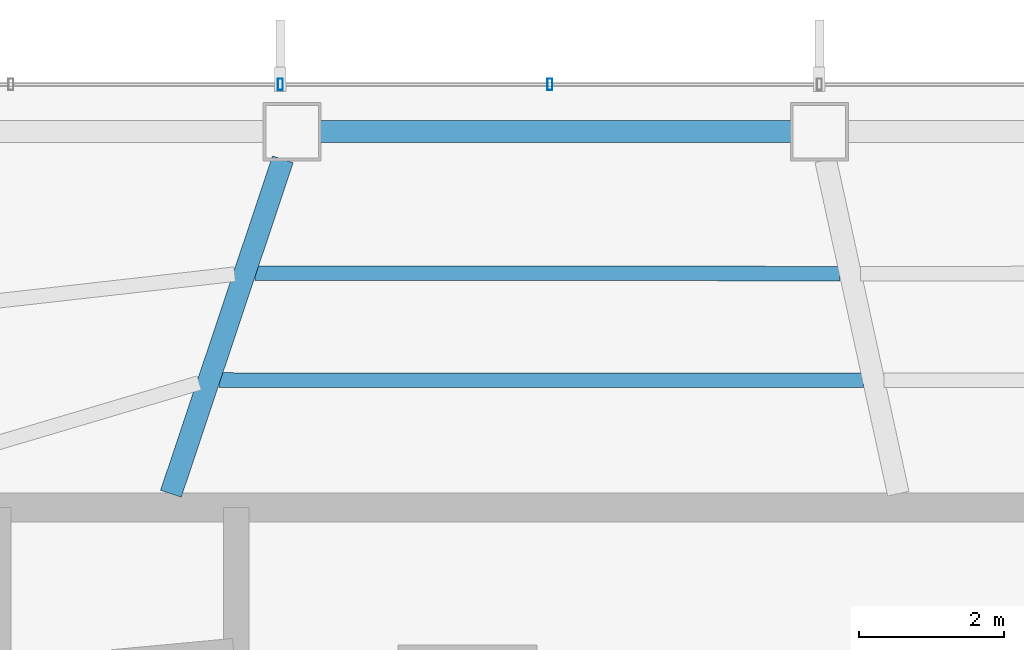
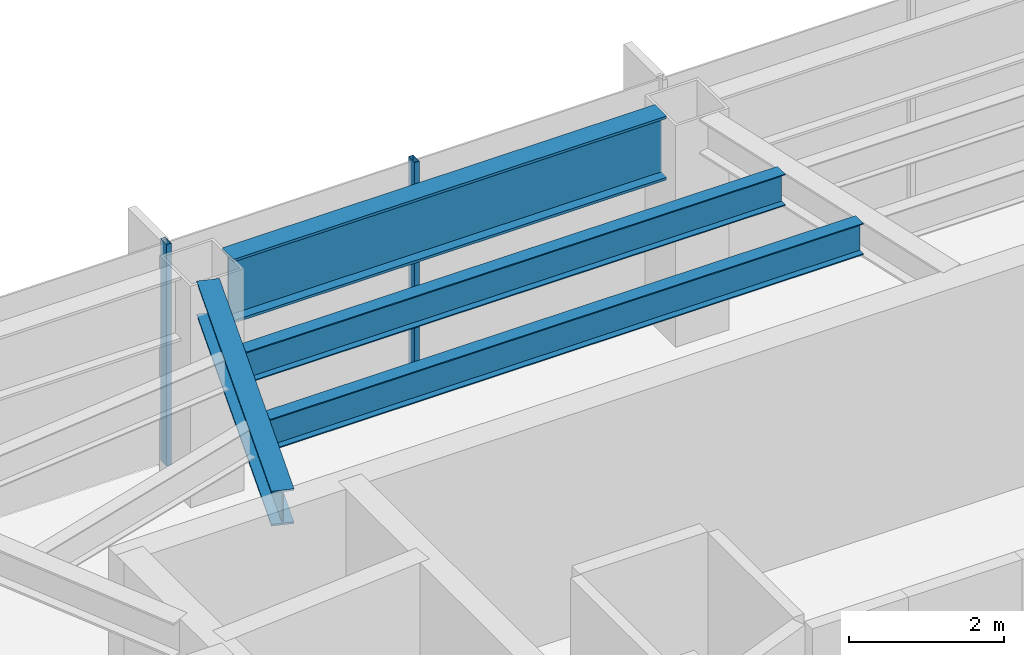
# One storey, part 12 of 28: 4 beams, 2 members, 1 element without a shape of its own.
"""IFC4 building model written with IfcOpenShell, lengths in metres."""

import ifcopenshell
import ifcopenshell.guid

model = None  # the IFC model being written
_history = None  # IfcOwnerHistory: only IFC2X3 demands one
_inside = {}  # id of a spatial element -> (the spatial element, [elements in it])
_under = {}  # id of a project, library or spatial element -> (it, [spatial elements below it])
_declared = {}  # id of a project -> (the project, [libraries it declares])
_typed = {}  # id of a type object -> (the type object, [elements of that type])
_made_of = {}  # id of a material, layer set ... -> (it, [elements and type objects made of it])


def new_model(schema):
    """Start an empty IFC model of exactly this schema.

    Asked for "IFC4X3", IfcOpenShell would pick the latest addendum, in which some entities
    have other attributes; the version numbers below select the first issue.
    IFC2X3 requires an IfcOwnerHistory on every rooted entity: one is made here for all.
    """
    global model, _history
    if schema == "IFC4X3":
        model = ifcopenshell.file(schema_version=(4, 3, 0, 0))
    else:
        model = ifcopenshell.file(schema=schema)
    _inside.clear()
    _under.clear()
    _declared.clear()
    _typed.clear()
    _made_of.clear()
    _history = None
    if model.schema == "IFC2X3":
        org = make("IfcOrganization", Name="unknown")
        user = make(
            "IfcPersonAndOrganization",
            ThePerson=make("IfcPerson", FamilyName="unknown"),
            TheOrganization=org,
        )
        app = make(
            "IfcApplication",
            ApplicationDeveloper=org,
            Version="unknown",
            ApplicationFullName="unknown",
            ApplicationIdentifier="unknown",
        )
        _history = make(
            "IfcOwnerHistory",
            OwningUser=user,
            OwningApplication=app,
            ChangeAction="ADDED",
            CreationDate=0,
        )
    return model


def make(cls, **values):
    """One entity of the class cls with the attributes given. An attribute that is None is left unset."""
    return model.create_entity(
        cls, **{name: value for name, value in values.items() if value is not None}
    )


def rooted(cls, **values):
    """An entity with a GlobalId (a new one), such as an element, a storey or a relation."""
    return make(cls, GlobalId=ifcopenshell.guid.new(), OwnerHistory=_history, **values)


def si_unit(unit_type, name, prefix=None):
    """IfcSIUnit, for example si_unit("LENGTHUNIT", "METRE", prefix="MILLI")."""
    return make("IfcSIUnit", UnitType=unit_type, Prefix=prefix, Name=name)


def assignment(units):
    """IfcUnitAssignment: the units of a project."""
    return None if units is None else make("IfcUnitAssignment", Units=units)


def point(xyz):
    """IfcCartesianPoint."""
    return None if xyz is None else make("IfcCartesianPoint", Coordinates=xyz)


def direction(xyz):
    """IfcDirection."""
    return None if xyz is None else make("IfcDirection", DirectionRatios=xyz)


def frame(location, z_axis=None, x_axis=None):
    """IfcAxis2Placement3D, a coordinate frame: its origin and axes. An axis left out is left unset."""
    return make(
        "IfcAxis2Placement3D",
        Location=point(location),
        Axis=direction(z_axis),
        RefDirection=direction(x_axis),
    )


def frame_2d(location, x_axis=None):
    """IfcAxis2Placement2D, a coordinate frame in the plane: its origin and x axis."""
    return make(
        "IfcAxis2Placement2D", Location=point(location), RefDirection=direction(x_axis)
    )


def origin():
    """The frame at (0, 0, 0) with its axes left unset."""
    return frame((0.0, 0.0, 0.0))


def origin_2d():
    """The frame at (0, 0) in the plane with its x axis left unset."""
    return frame_2d((0.0, 0.0))


def place(relative_to, where):
    """IfcLocalPlacement: puts the frame where relative to a parent placement (None: the world)."""
    return make(
        "IfcLocalPlacement", PlacementRelTo=relative_to, RelativePlacement=where
    )


def context(
    kind, dimensions, precision=None, world=None, true_north=None, identifier=None
):
    """IfcGeometricRepresentationContext, for example the 3D "Model" context."""
    return make(
        "IfcGeometricRepresentationContext",
        ContextIdentifier=identifier,
        ContextType=kind,
        CoordinateSpaceDimension=dimensions,
        Precision=precision,
        WorldCoordinateSystem=world,
        TrueNorth=true_north,
    )


def subcontext(parent, identifier, kind, view, scale=None):
    """IfcGeometricRepresentationSubContext, for example "Body" below "Model"."""
    return make(
        "IfcGeometricRepresentationSubContext",
        ContextIdentifier=identifier,
        ContextType=kind,
        ParentContext=parent,
        TargetScale=scale,
        TargetView=view,
    )


def project(units=None, contexts=None):
    """IfcProject with its units and contexts."""
    return rooted(
        "IfcProject",
        Name="project",
        RepresentationContexts=contexts,
        UnitsInContext=assignment(units),
    )


def spatial(cls, under=None, at=None, **own):
    """A site, building, storey or space (cls), placed at a placement, below another one or the project."""
    s = rooted(cls, ObjectPlacement=at, **own)
    if under is not None:
        _under.setdefault(under.id(), (under, []))[1].append(s)
    return s


def profile(cls, at=None, kind="AREA", **sizes):
    """A parametric profile (cls). Its sizes go by their IFC names, for example OverallWidth=200.0."""
    return make(cls, ProfileType=kind, Position=at, **sizes)


def hollow_rectangle(**sizes):
    """IfcRectangleHollowProfileDef."""
    return profile("IfcRectangleHollowProfileDef", **sizes)


def i_section(**sizes):
    """IfcIShapeProfileDef."""
    return profile("IfcIShapeProfileDef", **sizes)


def extrude(swept, where, along, depth):
    """IfcExtrudedAreaSolid: the profile swept, set in the frame where, extruded along a direction by depth."""
    return make(
        "IfcExtrudedAreaSolid",
        SweptArea=swept,
        Position=where,
        ExtrudedDirection=direction(along),
        Depth=depth,
    )


def shape(context_of_items, identifier, shape_type, items):
    """IfcShapeRepresentation: the items that make up one representation, for example the "Body"."""
    return make(
        "IfcShapeRepresentation",
        ContextOfItems=context_of_items,
        RepresentationIdentifier=identifier,
        RepresentationType=shape_type,
        Items=items,
    )


def material(Name=None, Category=None):
    """IfcMaterial."""
    return make("IfcMaterial", Name=Name, Category=Category)


def layer(
    of_material, thickness, ventilated=None, Name=None, Category=None, Priority=None
):
    """IfcMaterialLayer: one layer of a wall or slab, of a material (None: an air gap)."""
    return make(
        "IfcMaterialLayer",
        Material=of_material,
        LayerThickness=thickness,
        IsVentilated=ventilated,
        Name=Name,
        Category=Category,
        Priority=Priority,
    )


def layer_set(layers, Name=None):
    """IfcMaterialLayerSet."""
    return make("IfcMaterialLayerSet", MaterialLayers=layers, LayerSetName=Name)


def material_profile(
    of_material, cross_section, Name=None, Category=None, Priority=None
):
    """IfcMaterialProfile: a cross section and its material."""
    return make(
        "IfcMaterialProfile",
        Name=Name,
        Material=of_material,
        Profile=cross_section,
        Priority=Priority,
        Category=Category,
    )


def profile_set(profiles, Name=None, composite=None):
    """IfcMaterialProfileSet."""
    return make(
        "IfcMaterialProfileSet",
        Name=Name,
        MaterialProfiles=profiles,
        CompositeProfile=composite,
    )


def made_of(thing, what):
    """Note that an element or type object is made of a material, layer set ...; save() writes the relation."""
    if what is not None:
        _made_of.setdefault(what.id(), (what, []))[1].append(thing)
    return thing


def type_object(cls, material=None, **own):
    """A type object (cls), such as IfcWallType, which elements share."""
    return made_of(rooted(cls, **own), material)


def element(
    cls,
    number,
    at=None,
    inside=None,
    cuts=None,
    type_object=None,
    material=None,
    context=None,
    identifier="Body",
    shape_type=None,
    held_by="IfcProductDefinitionShape",
    body=None,
    shapes=None,
    **own,
):
    """One element of the class cls, such as IfcWall. Its Tag is "e" and its number.

    at: its placement. inside: the storey or other place that contains it. cuts: it is an
    opening in that element (IfcRelVoidsElement). A single representation is given by context,
    identifier, shape_type and body (its items); several are given by shapes. held_by: the class
    of the entity that holds the representations. save() writes the other relations.
    """
    e = rooted(cls, Tag="e%d" % number, ObjectPlacement=at, **own)
    if body is not None:
        shapes = [shape(context, identifier, shape_type, body)]
    if shapes is not None:
        e.Representation = make(held_by, Representations=shapes)
    if inside is not None:
        _inside.setdefault(inside.id(), (inside, []))[1].append(e)
    if cuts is not None:
        rooted(
            "IfcRelVoidsElement", RelatingBuildingElement=cuts, RelatedOpeningElement=e
        )
    if type_object is not None:
        _typed.setdefault(type_object.id(), (type_object, []))[1].append(e)
    return made_of(e, material)


def aggregate(whole, parts):
    """IfcRelAggregates: a whole, such as a stair, and the parts it consists of."""
    return rooted("IfcRelAggregates", RelatingObject=whole, RelatedObjects=parts)


def save(model, path):
    """Write the relations noted so far, then the file.

    IfcRelAggregates (storeys below a building ...), IfcRelContainedInSpatialStructure (elements
    in a storey), IfcRelDefinesByType, IfcRelAssociatesMaterial and IfcRelDeclares: one each for
    every whole, place, type object, material and project.
    """
    for whole, parts in _under.values():
        aggregate(whole, parts)
    for where, things in _inside.values():
        rooted(
            "IfcRelContainedInSpatialStructure",
            RelatedElements=things,
            RelatingStructure=where,
        )
    for kind, things in _typed.values():
        rooted("IfcRelDefinesByType", RelatedObjects=things, RelatingType=kind)
    for what, things in _made_of.values():
        rooted("IfcRelAssociatesMaterial", RelatedObjects=things, RelatingMaterial=what)
    for by, libraries in _declared.values():
        rooted("IfcRelDeclares", RelatingContext=by, RelatedDefinitions=libraries)
    model.write(path)


model = new_model("IFC4")

# Units and contexts
model_context = context("Model", 3, precision=1e-05, world=origin(), true_north=direction((0.0, 1.0)))
body_context = subcontext(model_context, "Body", "Model", "MODEL_VIEW")
ifc_project = project(units=[si_unit("LENGTHUNIT", "METRE"), si_unit("AREAUNIT", "SQUARE_METRE"), si_unit("VOLUMEUNIT", "CUBIC_METRE"), si_unit("PLANEANGLEUNIT", "RADIAN"), si_unit("MASSUNIT", "GRAM", prefix="KILO")], contexts=[model_context])

# Site, building, storey
site_placement = place(None, origin())
site = spatial("IfcSite", under=ifc_project, at=site_placement, CompositionType="ELEMENT")
building_placement = place(site_placement, origin())
building = spatial("IfcBuilding", under=site, at=building_placement, Name="Zarrinselat Tower", CompositionType="ELEMENT")
storey_placement = place(building_placement, frame((0.0, 0.0, 123.419921875)))
storey = spatial("IfcBuildingStorey", under=building, at=storey_placement, Name="L29", CompositionType="ELEMENT", Elevation=123.419921875)

# Beams
ifc_material_1 = material(Name="Steel S355J2", Category="steel")
ifc_material_profile_1 = material_profile(ifc_material_1, i_section(OverallWidth=0.300048828125, OverallDepth=0.550048828125, WebThickness=0.014892578125, FlangeThickness=0.029052734375, at=origin_2d()), Name="HEB 550")
ifc_profile_set_1 = profile_set([ifc_material_profile_1], Name="Steel S355J2")
beam_type_1 = type_object("IfcBeamType", Name="BM-HEB550", PredefinedType="BEAM", material=ifc_profile_set_1)
beam_1_placement = place(storey_placement, frame((31.0, 43.639892578125, 3.22509765625), z_axis=(0.317466734823, 0.948269409124, 0.0), x_axis=(-0.948269409124, 0.317466734823, 0.0)))
element("IfcBeam", 1, at=beam_1_placement, inside=storey, type_object=beam_type_1, Name="L29 Radial Primary Girder RG04", PredefinedType="BEAM", context=body_context, shape_type="SweptSolid", body=[
    extrude(i_section(OverallWidth=0.300048828125, OverallDepth=0.550048828125, WebThickness=0.014892578125, FlangeThickness=0.029052734375, at=origin_2d()), origin(), (0.0, 0.0, 1.0), 4.846435546875),
])
ifc_material_2 = material(Name="Steel S460M", Category="steel")
ifc_material_profile_2 = material_profile(ifc_material_2, i_section(OverallWidth=0.302001953125, OverallDepth=1.008056640625, WebThickness=0.02099609375, FlangeThickness=0.0400390625, at=origin_2d()), Name="HEM 1000")
ifc_profile_set_2 = profile_set([ifc_material_profile_2], Name="Steel S460M")
beam_type_2 = type_object("IfcBeamType", Name="BM-HEM1000", PredefinedType="BEAM", material=ifc_profile_set_2)
beam_2_placement = place(storey_placement, frame((33.05419921875, 48.61669921875, 2.99609375), z_axis=(1.0, 0.0, 0.0), x_axis=(0.0, 1.0, 0.0)))
element("IfcBeam", 2, at=beam_2_placement, inside=storey, type_object=beam_type_2, Name="L29 Perimeter Spandrel Girder SP03", PredefinedType="BEAM", context=body_context, shape_type="SweptSolid", body=[
    extrude(i_section(OverallWidth=0.302001953125, OverallDepth=1.008056640625, WebThickness=0.02099609375, FlangeThickness=0.0400390625, at=origin_2d()), origin(), (0.0, 0.0, 1.0), 6.473388671875),
])
ifc_material_3 = material(Name="Steel S355J2", Category="steel")
ifc_material_profile_3 = material_profile(ifc_material_3, i_section(OverallWidth=0.199951171875, OverallDepth=0.5, WebThickness=0.01025390625, FlangeThickness=0.01611328125, at=origin_2d()), Name="IPE 500")
ifc_profile_set_3 = profile_set([ifc_material_profile_3], Name="Steel S355J2")
beam_type_3 = type_object("IfcBeamType", Name="BM-IPE500", PredefinedType="JOIST", material=ifc_profile_set_3)
beam_3_placement = place(storey_placement, frame((32.155517578125, 46.6728515625, 3.25), z_axis=(0.999999585598, -0.000910387144, 0.0), x_axis=(0.000910387144, 0.999999585598, 0.0)))
element("IfcBeam", 3, at=beam_3_placement, inside=storey, type_object=beam_type_3, Name="L29 Composite Floor Joist 8-1", PredefinedType="JOIST", context=body_context, shape_type="SweptSolid", body=[
    extrude(i_section(OverallWidth=0.199951171875, OverallDepth=0.5, WebThickness=0.01025390625, FlangeThickness=0.01611328125, at=origin_2d()), origin(), (0.0, 0.0, 1.0), 8.045166015625),
])
beam_4_placement = place(storey_placement, frame((31.6630859375, 45.202392578125, 3.25), z_axis=(0.999999902753, -0.00044101429, 0.0), x_axis=(0.00044101429, 0.999999902753, 0.0)))
element("IfcBeam", 4, at=beam_4_placement, inside=storey, type_object=beam_type_3, Name="L29 Composite Floor Joist 8-2", PredefinedType="JOIST", context=body_context, shape_type="SweptSolid", body=[
    extrude(i_section(OverallWidth=0.199951171875, OverallDepth=0.5, WebThickness=0.01025390625, FlangeThickness=0.01611328125, at=origin_2d()), origin(), (0.0, 0.0, 1.0), 8.857421875),
])

# Curtain wall, members
ifc_material_4 = material(Name="Extruded Aluminium Alloy EN AW-6063 T6", Category="aluminium")
ifc_layer = layer(ifc_material_4, 0.175048828125)
ifc_layer_set = layer_set([ifc_layer], Name="Extruded Aluminium Alloy EN AW-6063 T6")
curtain_wall_type = type_object("IfcCurtainWallType", Name="CWS-HTL", PredefinedType="NOTDEFINED", material=ifc_layer_set)
curtain_wall_placement = place(storey_placement, origin())
curtain_wall = element("IfcCurtainWall", 5, at=curtain_wall_placement, inside=storey, type_object=curtain_wall_type, Name="L29 Unitised Curtain Wall CW-L29-E01", PredefinedType="NOTDEFINED")
ifc_material_5 = material(Name="Extruded Aluminium Alloy EN AW-6063 T6", Category="aluminium")
ifc_material_profile_4 = material_profile(ifc_material_5, hollow_rectangle(XDim=0.070068359375, YDim=0.159912109375, WallThickness=0.00390625, at=origin_2d()), Name="RHS 160x70x4")
ifc_profile_set_4 = profile_set([ifc_material_profile_4], Name="Extruded Aluminium Alloy EN AW-6063 T6")
member_type = type_object("IfcMemberType", Name="MEM-CW-MUL2", PredefinedType="MULLION", material=ifc_profile_set_4)
member_1_placement = place(storey_placement, frame((36.210205078125, 49.2666015625, 0.0), z_axis=(0.0, 0.0, 1.0), x_axis=(-1.0, 0.0, 0.0)))
member_1 = element("IfcMember", 6, at=member_1_placement, type_object=member_type, Name="CW-L29-E01 Mullion 6", PredefinedType="MULLION", context=body_context, shape_type="SweptSolid", body=[
    extrude(hollow_rectangle(XDim=0.070068359375, YDim=0.159912109375, WallThickness=0.00390625, at=origin_2d()), origin(), (0.0, 0.0, 1.0), 3.5),
])
member_2_placement = place(storey_placement, frame((32.504638671875, 49.2666015625, 0.0), z_axis=(0.0, 0.0, 1.0), x_axis=(-1.0, 0.0, 0.0)))
member_2 = element("IfcMember", 7, at=member_2_placement, type_object=member_type, Name="CW-L29-E01 Mullion 7", PredefinedType="MULLION", context=body_context, shape_type="SweptSolid", body=[
    extrude(hollow_rectangle(XDim=0.070068359375, YDim=0.159912109375, WallThickness=0.00390625, at=origin_2d()), origin(), (0.0, 0.0, 1.0), 3.5),
])
aggregate(curtain_wall, [member_1, member_2])

save(model, "model.ifc")
